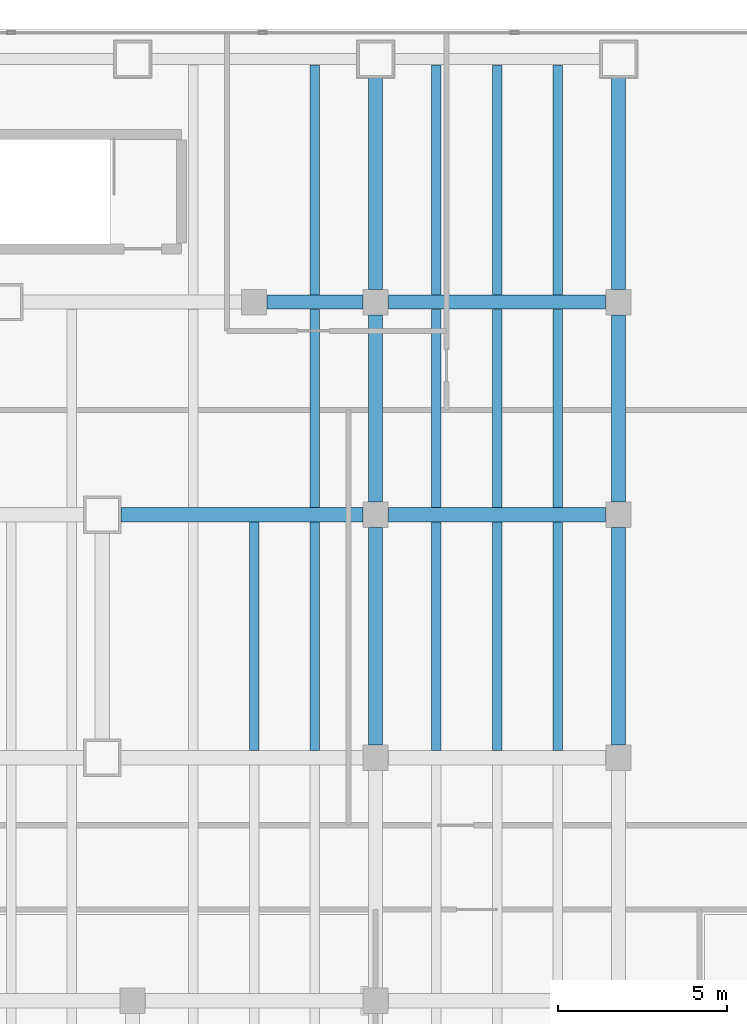
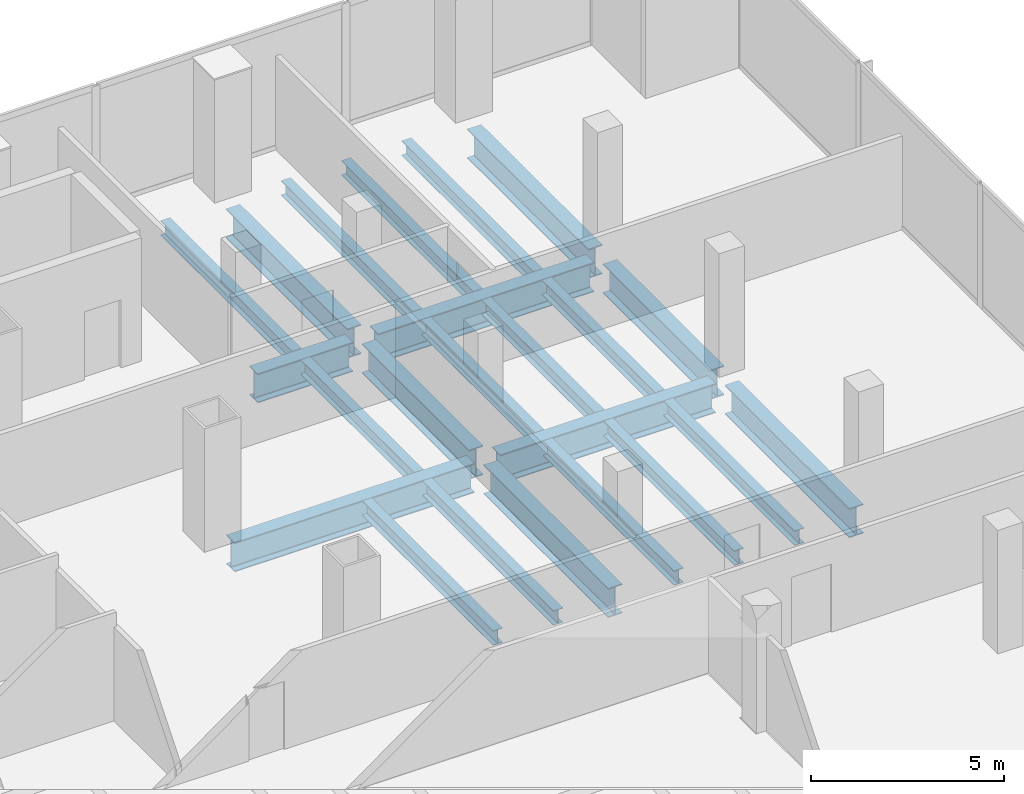
# One storey, part 13 of 32: 23 beams.
"""IFC4 building model written with IfcOpenShell, lengths in metres."""

from ifc_helpers import new_model, si_unit, direction, frame, origin, origin_2d, place, context, subcontext, project, spatial, i_section, extrude, material, material_profile, profile_set, type_object, element, save


model = new_model("IFC4")

# Units and contexts
model_context = context("Model", 3, precision=1e-05, world=origin(), true_north=direction((0.0, 1.0)))
body_context = subcontext(model_context, "Body", "Model", "MODEL_VIEW")
ifc_project = project(units=[si_unit("LENGTHUNIT", "METRE"), si_unit("AREAUNIT", "SQUARE_METRE"), si_unit("VOLUMEUNIT", "CUBIC_METRE"), si_unit("PLANEANGLEUNIT", "RADIAN"), si_unit("MASSUNIT", "GRAM", prefix="KILO")], contexts=[model_context])

# Site, building, storey
site_placement = place(None, origin())
site = spatial("IfcSite", under=ifc_project, at=site_placement, CompositionType="ELEMENT")
building_placement = place(site_placement, origin())
building = spatial("IfcBuilding", under=site, at=building_placement, Name="Cobrela Telecom Tower", CompositionType="ELEMENT")
storey_placement = place(building_placement, frame((0.0, 0.0, 22.050048828125)))
storey = spatial("IfcBuildingStorey", under=building, at=storey_placement, Name="L05", CompositionType="ELEMENT", Elevation=22.050048828125)

# Beams
ifc_material = material(Name="Steel ASTM A992 Grade 50", Category="steel")
ifc_material_profile_1 = material_profile(ifc_material, i_section(OverallWidth=0.4189453125, OverallDepth=0.927001953125, WebThickness=0.019287109375, FlangeThickness=0.031982421875, FilletRadius=0.02392578125, at=origin_2d()), Name="W36X231")
ifc_profile_set_1 = profile_set([ifc_material_profile_1], Name="Steel ASTM A992 Grade 50")
beam_type_1 = type_object("IfcBeamType", Name="BM-GIRD-02", PredefinedType="USERDEFINED", material=ifc_profile_set_1)
beam_1_placement = place(storey_placement, frame((28.455078125, 36.0, -0.753662109375), z_axis=(1.0, 0.0, 0.0), x_axis=(0.0, 1.0, 0.0)))
element("IfcBeam", 1, at=beam_1_placement, inside=storey, type_object=beam_type_1, Name="L05 Primary Girder X44", ObjectType="GIRDER", PredefinedType="USERDEFINED", context=body_context, shape_type="SweptSolid", body=[
    extrude(i_section(OverallWidth=0.4189453125, OverallDepth=0.927001953125, WebThickness=0.019287109375, FlangeThickness=0.031982421875, FilletRadius=0.02392578125, at=origin_2d()), origin(), (0.0, 0.0, 1.0), 7.1650390625),
])
beam_2_placement = place(storey_placement, frame((36.3798828125, 36.0, -0.753662109375), z_axis=(1.0, 0.0, 0.0), x_axis=(0.0, 1.0, 0.0)))
element("IfcBeam", 2, at=beam_2_placement, inside=storey, type_object=beam_type_1, Name="L05 Primary Girder X45", ObjectType="GIRDER", PredefinedType="USERDEFINED", context=body_context, shape_type="SweptSolid", body=[
    extrude(i_section(OverallWidth=0.4189453125, OverallDepth=0.927001953125, WebThickness=0.019287109375, FlangeThickness=0.031982421875, FilletRadius=0.02392578125, at=origin_2d()), origin(), (0.0, 0.0, 1.0), 6.440185546875),
])
beam_3_placement = place(storey_placement, frame((32.780029296875, 42.300048828125, -0.753662109375), z_axis=(1.0, 0.0, 0.0), x_axis=(0.0, 1.0, 0.0)))
element("IfcBeam", 3, at=beam_3_placement, inside=storey, type_object=beam_type_1, Name="L05 Primary Girder X50", ObjectType="GIRDER", PredefinedType="USERDEFINED", context=body_context, shape_type="SweptSolid", body=[
    extrude(i_section(OverallWidth=0.4189453125, OverallDepth=0.927001953125, WebThickness=0.019287109375, FlangeThickness=0.031982421875, FilletRadius=0.02392578125, at=origin_2d()), origin(), (0.0, 0.0, 1.0), 2.840087890625),
])
for number, where, z_axis, x_axis, name in (
    (4, (36.3798828125, 42.300048828125, -0.753662109375), (1.0, 0.0, 0.0), (0.0, 1.0, 0.0), "L05 Primary Girder X51"),
    (5, (36.0, 29.179931640625, -0.753662109375), (0.0, 1.0, 0.0), (-1.0, 0.0, 0.0), "L05 Primary Girder Y75"),
):
    element("IfcBeam", number, at=place(storey_placement, frame(where, z_axis=z_axis, x_axis=x_axis)), inside=storey, type_object=beam_type_1, Name=name, ObjectType="GIRDER", PredefinedType="USERDEFINED", context=body_context, shape_type="SweptSolid", body=[
        extrude(i_section(OverallWidth=0.4189453125, OverallDepth=0.927001953125, WebThickness=0.019287109375, FlangeThickness=0.031982421875, FilletRadius=0.02392578125, at=origin_2d()), origin(), (0.0, 0.0, 1.0), 6.440185546875),
    ])
beam_4_placement = place(storey_placement, frame((36.0, 36.3798828125, -0.753662109375), z_axis=(0.0, 1.0, 0.0), x_axis=(-1.0, 0.0, 0.0)))
element("IfcBeam", 6, at=beam_4_placement, inside=storey, type_object=beam_type_1, Name="L05 Primary Girder Y76", ObjectType="GIRDER", PredefinedType="USERDEFINED", context=body_context, shape_type="SweptSolid", body=[
    extrude(i_section(OverallWidth=0.4189453125, OverallDepth=0.927001953125, WebThickness=0.019287109375, FlangeThickness=0.031982421875, FilletRadius=0.02392578125, at=origin_2d()), origin(), (0.0, 0.0, 1.0), 5.5400390625),
])
beam_5_placement = place(storey_placement, frame((36.0, 42.679931640625, -0.753662109375), z_axis=(0.0, 1.0, 0.0), x_axis=(-1.0, 0.0, 0.0)))
element("IfcBeam", 7, at=beam_5_placement, inside=storey, type_object=beam_type_1, Name="L05 Primary Girder Y77", ObjectType="GIRDER", PredefinedType="USERDEFINED", context=body_context, shape_type="SweptSolid", body=[
    extrude(i_section(OverallWidth=0.4189453125, OverallDepth=0.927001953125, WebThickness=0.019287109375, FlangeThickness=0.031982421875, FilletRadius=0.02392578125, at=origin_2d()), origin(), (0.0, 0.0, 1.0), 6.26513671875),
])
beam_6_placement = place(storey_placement, frame((43.199951171875, 29.179931640625, -0.753662109375), z_axis=(0.0, 1.0, 0.0), x_axis=(-1.0, 0.0, 0.0)))
element("IfcBeam", 8, at=beam_6_placement, inside=storey, type_object=beam_type_1, Name="L05 Primary Girder Y82", ObjectType="GIRDER", PredefinedType="USERDEFINED", context=body_context, shape_type="SweptSolid", body=[
    extrude(i_section(OverallWidth=0.4189453125, OverallDepth=0.927001953125, WebThickness=0.019287109375, FlangeThickness=0.031982421875, FilletRadius=0.02392578125, at=origin_2d()), origin(), (0.0, 0.0, 1.0), 6.440185546875),
])
beam_7_placement = place(storey_placement, frame((43.199951171875, 36.3798828125, -0.753662109375), z_axis=(0.0, 1.0, 0.0), x_axis=(-1.0, 0.0, 0.0)))
element("IfcBeam", 9, at=beam_7_placement, inside=storey, type_object=beam_type_1, Name="L05 Primary Girder Y83", ObjectType="GIRDER", PredefinedType="USERDEFINED", context=body_context, shape_type="SweptSolid", body=[
    extrude(i_section(OverallWidth=0.4189453125, OverallDepth=0.927001953125, WebThickness=0.019287109375, FlangeThickness=0.031982421875, FilletRadius=0.02392578125, at=origin_2d()), origin(), (0.0, 0.0, 1.0), 5.5400390625),
])
beam_8_placement = place(storey_placement, frame((43.199951171875, 42.679931640625, -0.753662109375), z_axis=(0.0, 1.0, 0.0), x_axis=(-1.0, 0.0, 0.0)))
element("IfcBeam", 10, at=beam_8_placement, inside=storey, type_object=beam_type_1, Name="L05 Primary Girder Y84", ObjectType="GIRDER", PredefinedType="USERDEFINED", context=body_context, shape_type="SweptSolid", body=[
    extrude(i_section(OverallWidth=0.4189453125, OverallDepth=0.927001953125, WebThickness=0.019287109375, FlangeThickness=0.031982421875, FilletRadius=0.02392578125, at=origin_2d()), origin(), (0.0, 0.0, 1.0), 6.26513671875),
])
ifc_material_profile_2 = material_profile(ifc_material, i_section(OverallWidth=0.281982421875, OverallDepth=0.467041015625, WebThickness=0.01220703125, FlangeThickness=0.01953125, FilletRadius=0.012939453125, at=origin_2d()), Name="W18X86")
ifc_profile_set_2 = profile_set([ifc_material_profile_2], Name="Steel ASTM A992 Grade 50")
beam_type_2 = type_object("IfcBeamType", Name="BM-JOIST-02", PredefinedType="JOIST", material=ifc_profile_set_2)
for number, where, z_axis, x_axis, name in (
    (11, (32.39990234375, 29.014404296875, -0.5234375), (0.0, 1.0, 0.0), (-1.0, 0.0, 0.0), "L05 Secondary Composite Floor Beam J62"),
    (12, (34.199951171875, 29.014404296875, -0.5234375), (0.0, 1.0, 0.0), (-1.0, 0.0, 0.0), "L05 Secondary Composite Floor Beam J67"),
):
    element("IfcBeam", number, at=place(storey_placement, frame(where, z_axis=z_axis, x_axis=x_axis)), inside=storey, type_object=beam_type_2, Name=name, PredefinedType="JOIST", context=body_context, shape_type="SweptSolid", body=[
        extrude(i_section(OverallWidth=0.281982421875, OverallDepth=0.467041015625, WebThickness=0.01220703125, FlangeThickness=0.01953125, FilletRadius=0.012939453125, at=origin_2d()), origin(), (0.0, 0.0, 1.0), 6.77099609375),
    ])
beam_9_placement = place(storey_placement, frame((34.199951171875, 36.214599609375, -0.5234375), z_axis=(0.0, 1.0, 0.0), x_axis=(-1.0, 0.0, 0.0)))
element("IfcBeam", 13, at=beam_9_placement, inside=storey, type_object=beam_type_2, Name="L05 Secondary Composite Floor Beam J68", PredefinedType="JOIST", context=body_context, shape_type="SweptSolid", body=[
    extrude(i_section(OverallWidth=0.281982421875, OverallDepth=0.467041015625, WebThickness=0.01220703125, FlangeThickness=0.01953125, FilletRadius=0.012939453125, at=origin_2d()), origin(), (0.0, 0.0, 1.0), 5.870849609375),
])
beam_10_placement = place(storey_placement, frame((34.199951171875, 42.514404296875, -0.5234375), z_axis=(0.0, 1.0, 0.0), x_axis=(-1.0, 0.0, 0.0)))
element("IfcBeam", 14, at=beam_10_placement, inside=storey, type_object=beam_type_2, Name="L05 Secondary Composite Floor Beam J69", PredefinedType="JOIST", context=body_context, shape_type="SweptSolid", body=[
    extrude(i_section(OverallWidth=0.281982421875, OverallDepth=0.467041015625, WebThickness=0.01220703125, FlangeThickness=0.01953125, FilletRadius=0.012939453125, at=origin_2d()), origin(), (0.0, 0.0, 1.0), 6.818115234375),
])
beam_11_placement = place(storey_placement, frame((37.800048828125, 29.014404296875, -0.5234375), z_axis=(0.0, 1.0, 0.0), x_axis=(-1.0, 0.0, 0.0)))
element("IfcBeam", 15, at=beam_11_placement, inside=storey, type_object=beam_type_2, Name="L05 Secondary Composite Floor Beam J74", PredefinedType="JOIST", context=body_context, shape_type="SweptSolid", body=[
    extrude(i_section(OverallWidth=0.281982421875, OverallDepth=0.467041015625, WebThickness=0.01220703125, FlangeThickness=0.01953125, FilletRadius=0.012939453125, at=origin_2d()), origin(), (0.0, 0.0, 1.0), 6.77099609375),
])
beam_12_placement = place(storey_placement, frame((37.800048828125, 36.214599609375, -0.5234375), z_axis=(0.0, 1.0, 0.0), x_axis=(-1.0, 0.0, 0.0)))
element("IfcBeam", 16, at=beam_12_placement, inside=storey, type_object=beam_type_2, Name="L05 Secondary Composite Floor Beam J75", PredefinedType="JOIST", context=body_context, shape_type="SweptSolid", body=[
    extrude(i_section(OverallWidth=0.281982421875, OverallDepth=0.467041015625, WebThickness=0.01220703125, FlangeThickness=0.01953125, FilletRadius=0.012939453125, at=origin_2d()), origin(), (0.0, 0.0, 1.0), 5.870849609375),
])
beam_13_placement = place(storey_placement, frame((37.800048828125, 42.514404296875, -0.5234375), z_axis=(0.0, 1.0, 0.0), x_axis=(-1.0, 0.0, 0.0)))
element("IfcBeam", 17, at=beam_13_placement, inside=storey, type_object=beam_type_2, Name="L05 Secondary Composite Floor Beam J76", PredefinedType="JOIST", context=body_context, shape_type="SweptSolid", body=[
    extrude(i_section(OverallWidth=0.281982421875, OverallDepth=0.467041015625, WebThickness=0.01220703125, FlangeThickness=0.01953125, FilletRadius=0.012939453125, at=origin_2d()), origin(), (0.0, 0.0, 1.0), 6.818115234375),
])
beam_14_placement = place(storey_placement, frame((39.60009765625, 29.014404296875, -0.5234375), z_axis=(0.0, 1.0, 0.0), x_axis=(-1.0, 0.0, 0.0)))
element("IfcBeam", 18, at=beam_14_placement, inside=storey, type_object=beam_type_2, Name="L05 Secondary Composite Floor Beam J81", PredefinedType="JOIST", context=body_context, shape_type="SweptSolid", body=[
    extrude(i_section(OverallWidth=0.281982421875, OverallDepth=0.467041015625, WebThickness=0.01220703125, FlangeThickness=0.01953125, FilletRadius=0.012939453125, at=origin_2d()), origin(), (0.0, 0.0, 1.0), 6.77099609375),
])
beam_15_placement = place(storey_placement, frame((39.60009765625, 36.214599609375, -0.5234375), z_axis=(0.0, 1.0, 0.0), x_axis=(-1.0, 0.0, 0.0)))
element("IfcBeam", 19, at=beam_15_placement, inside=storey, type_object=beam_type_2, Name="L05 Secondary Composite Floor Beam J82", PredefinedType="JOIST", context=body_context, shape_type="SweptSolid", body=[
    extrude(i_section(OverallWidth=0.281982421875, OverallDepth=0.467041015625, WebThickness=0.01220703125, FlangeThickness=0.01953125, FilletRadius=0.012939453125, at=origin_2d()), origin(), (0.0, 0.0, 1.0), 5.870849609375),
])
beam_16_placement = place(storey_placement, frame((39.60009765625, 42.514404296875, -0.5234375), z_axis=(0.0, 1.0, 0.0), x_axis=(-1.0, 0.0, 0.0)))
element("IfcBeam", 20, at=beam_16_placement, inside=storey, type_object=beam_type_2, Name="L05 Secondary Composite Floor Beam J83", PredefinedType="JOIST", context=body_context, shape_type="SweptSolid", body=[
    extrude(i_section(OverallWidth=0.281982421875, OverallDepth=0.467041015625, WebThickness=0.01220703125, FlangeThickness=0.01953125, FilletRadius=0.012939453125, at=origin_2d()), origin(), (0.0, 0.0, 1.0), 6.818115234375),
])
beam_17_placement = place(storey_placement, frame((41.39990234375, 29.014404296875, -0.5234375), z_axis=(0.0, 1.0, 0.0), x_axis=(-1.0, 0.0, 0.0)))
element("IfcBeam", 21, at=beam_17_placement, inside=storey, type_object=beam_type_2, Name="L05 Secondary Composite Floor Beam J88", PredefinedType="JOIST", context=body_context, shape_type="SweptSolid", body=[
    extrude(i_section(OverallWidth=0.281982421875, OverallDepth=0.467041015625, WebThickness=0.01220703125, FlangeThickness=0.01953125, FilletRadius=0.012939453125, at=origin_2d()), origin(), (0.0, 0.0, 1.0), 6.77099609375),
])
beam_18_placement = place(storey_placement, frame((41.39990234375, 36.214599609375, -0.5234375), z_axis=(0.0, 1.0, 0.0), x_axis=(-1.0, 0.0, 0.0)))
element("IfcBeam", 22, at=beam_18_placement, inside=storey, type_object=beam_type_2, Name="L05 Secondary Composite Floor Beam J89", PredefinedType="JOIST", context=body_context, shape_type="SweptSolid", body=[
    extrude(i_section(OverallWidth=0.281982421875, OverallDepth=0.467041015625, WebThickness=0.01220703125, FlangeThickness=0.01953125, FilletRadius=0.012939453125, at=origin_2d()), origin(), (0.0, 0.0, 1.0), 5.870849609375),
])
beam_19_placement = place(storey_placement, frame((41.39990234375, 42.514404296875, -0.5234375), z_axis=(0.0, 1.0, 0.0), x_axis=(-1.0, 0.0, 0.0)))
element("IfcBeam", 23, at=beam_19_placement, inside=storey, type_object=beam_type_2, Name="L05 Secondary Composite Floor Beam J90", PredefinedType="JOIST", context=body_context, shape_type="SweptSolid", body=[
    extrude(i_section(OverallWidth=0.281982421875, OverallDepth=0.467041015625, WebThickness=0.01220703125, FlangeThickness=0.01953125, FilletRadius=0.012939453125, at=origin_2d()), origin(), (0.0, 0.0, 1.0), 6.818115234375),
])

save(model, "model.ifc")
